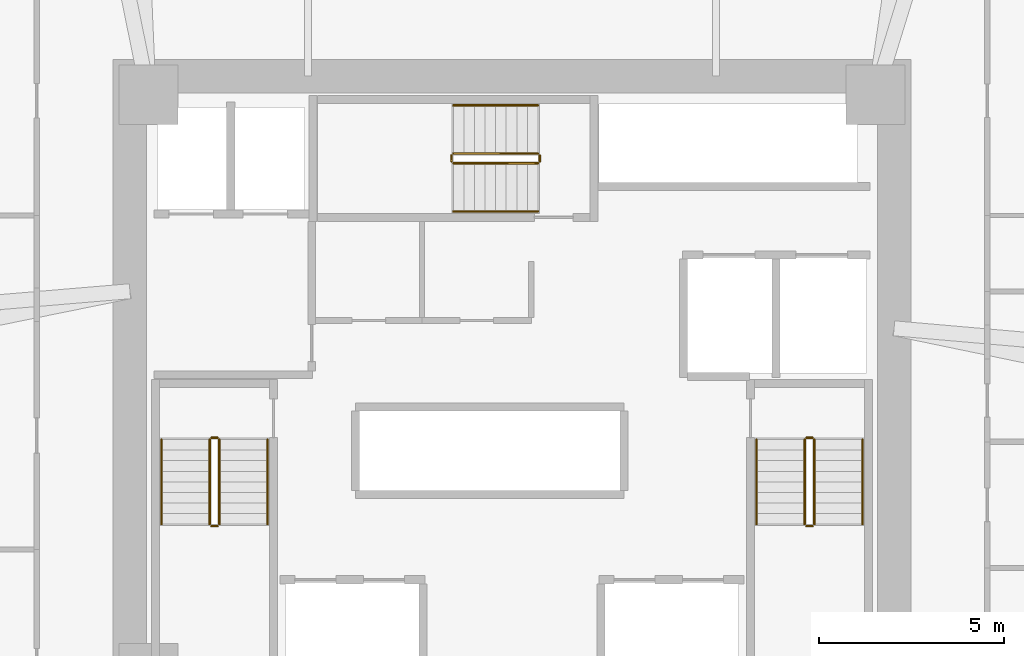
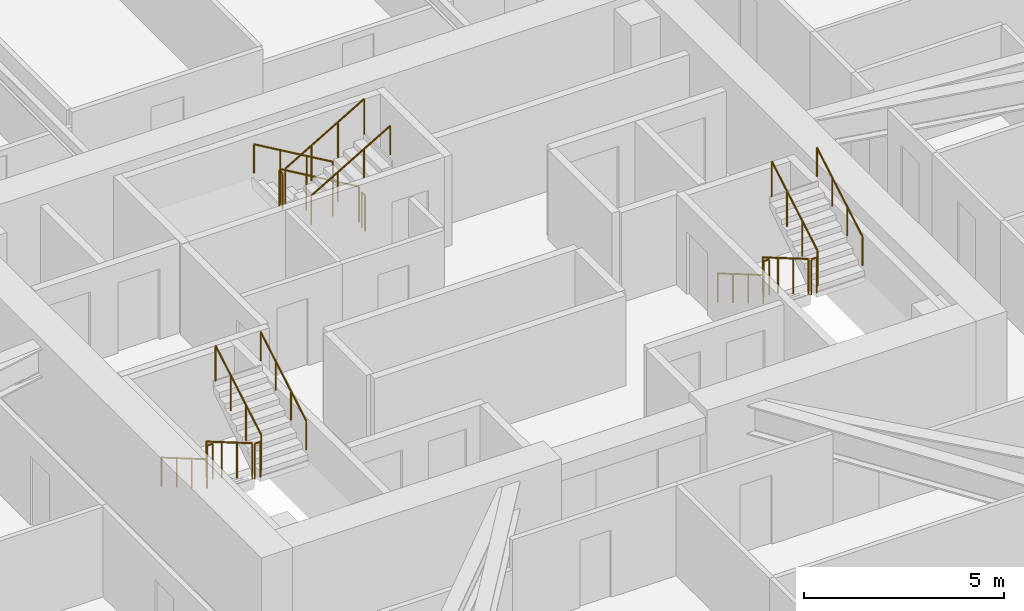
# One storey, part 15 of 15: 18 railings.
"""IFC4 building model written with IfcOpenShell, lengths in metres."""

import ifcopenshell
import ifcopenshell.guid

model = None  # the IFC model being written
_history = None  # IfcOwnerHistory: only IFC2X3 demands one
_inside = {}  # id of a spatial element -> (the spatial element, [elements in it])
_under = {}  # id of a project, library or spatial element -> (it, [spatial elements below it])
_declared = {}  # id of a project -> (the project, [libraries it declares])
_typed = {}  # id of a type object -> (the type object, [elements of that type])
_made_of = {}  # id of a material, layer set ... -> (it, [elements and type objects made of it])


def new_model(schema):
    """Start an empty IFC model of exactly this schema.

    Asked for "IFC4X3", IfcOpenShell would pick the latest addendum, in which some entities
    have other attributes; the version numbers below select the first issue.
    IFC2X3 requires an IfcOwnerHistory on every rooted entity: one is made here for all.
    """
    global model, _history
    if schema == "IFC4X3":
        model = ifcopenshell.file(schema_version=(4, 3, 0, 0))
    else:
        model = ifcopenshell.file(schema=schema)
    _inside.clear()
    _under.clear()
    _declared.clear()
    _typed.clear()
    _made_of.clear()
    _history = None
    if model.schema == "IFC2X3":
        org = make("IfcOrganization", Name="unknown")
        user = make(
            "IfcPersonAndOrganization",
            ThePerson=make("IfcPerson", FamilyName="unknown"),
            TheOrganization=org,
        )
        app = make(
            "IfcApplication",
            ApplicationDeveloper=org,
            Version="unknown",
            ApplicationFullName="unknown",
            ApplicationIdentifier="unknown",
        )
        _history = make(
            "IfcOwnerHistory",
            OwningUser=user,
            OwningApplication=app,
            ChangeAction="ADDED",
            CreationDate=0,
        )
    return model


def make(cls, **values):
    """One entity of the class cls with the attributes given. An attribute that is None is left unset."""
    return model.create_entity(
        cls, **{name: value for name, value in values.items() if value is not None}
    )


def rooted(cls, **values):
    """An entity with a GlobalId (a new one), such as an element, a storey or a relation."""
    return make(cls, GlobalId=ifcopenshell.guid.new(), OwnerHistory=_history, **values)


def si_unit(unit_type, name, prefix=None):
    """IfcSIUnit, for example si_unit("LENGTHUNIT", "METRE", prefix="MILLI")."""
    return make("IfcSIUnit", UnitType=unit_type, Prefix=prefix, Name=name)


def assignment(units):
    """IfcUnitAssignment: the units of a project."""
    return None if units is None else make("IfcUnitAssignment", Units=units)


def point(xyz):
    """IfcCartesianPoint."""
    return None if xyz is None else make("IfcCartesianPoint", Coordinates=xyz)


def direction(xyz):
    """IfcDirection."""
    return None if xyz is None else make("IfcDirection", DirectionRatios=xyz)


def frame(location, z_axis=None, x_axis=None):
    """IfcAxis2Placement3D, a coordinate frame: its origin and axes. An axis left out is left unset."""
    return make(
        "IfcAxis2Placement3D",
        Location=point(location),
        Axis=direction(z_axis),
        RefDirection=direction(x_axis),
    )


def frame_2d(location, x_axis=None):
    """IfcAxis2Placement2D, a coordinate frame in the plane: its origin and x axis."""
    return make(
        "IfcAxis2Placement2D", Location=point(location), RefDirection=direction(x_axis)
    )


def origin():
    """The frame at (0, 0, 0) with its axes left unset."""
    return frame((0.0, 0.0, 0.0))


def origin_2d():
    """The frame at (0, 0) in the plane with its x axis left unset."""
    return frame_2d((0.0, 0.0))


def place(relative_to, where):
    """IfcLocalPlacement: puts the frame where relative to a parent placement (None: the world)."""
    return make(
        "IfcLocalPlacement", PlacementRelTo=relative_to, RelativePlacement=where
    )


def context(
    kind, dimensions, precision=None, world=None, true_north=None, identifier=None
):
    """IfcGeometricRepresentationContext, for example the 3D "Model" context."""
    return make(
        "IfcGeometricRepresentationContext",
        ContextIdentifier=identifier,
        ContextType=kind,
        CoordinateSpaceDimension=dimensions,
        Precision=precision,
        WorldCoordinateSystem=world,
        TrueNorth=true_north,
    )


def subcontext(parent, identifier, kind, view, scale=None):
    """IfcGeometricRepresentationSubContext, for example "Body" below "Model"."""
    return make(
        "IfcGeometricRepresentationSubContext",
        ContextIdentifier=identifier,
        ContextType=kind,
        ParentContext=parent,
        TargetScale=scale,
        TargetView=view,
    )


def project(units=None, contexts=None):
    """IfcProject with its units and contexts."""
    return rooted(
        "IfcProject",
        Name="project",
        RepresentationContexts=contexts,
        UnitsInContext=assignment(units),
    )


def spatial(cls, under=None, at=None, **own):
    """A site, building, storey or space (cls), placed at a placement, below another one or the project."""
    s = rooted(cls, ObjectPlacement=at, **own)
    if under is not None:
        _under.setdefault(under.id(), (under, []))[1].append(s)
    return s


def profile(cls, at=None, kind="AREA", **sizes):
    """A parametric profile (cls). Its sizes go by their IFC names, for example OverallWidth=200.0."""
    return make(cls, ProfileType=kind, Position=at, **sizes)


def circle(**sizes):
    """IfcCircleProfileDef."""
    return profile("IfcCircleProfileDef", **sizes)


def extrude(swept, where, along, depth):
    """IfcExtrudedAreaSolid: the profile swept, set in the frame where, extruded along a direction by depth."""
    return make(
        "IfcExtrudedAreaSolid",
        SweptArea=swept,
        Position=where,
        ExtrudedDirection=direction(along),
        Depth=depth,
    )


def shape(context_of_items, identifier, shape_type, items):
    """IfcShapeRepresentation: the items that make up one representation, for example the "Body"."""
    return make(
        "IfcShapeRepresentation",
        ContextOfItems=context_of_items,
        RepresentationIdentifier=identifier,
        RepresentationType=shape_type,
        Items=items,
    )


def material(Name=None, Category=None):
    """IfcMaterial."""
    return make("IfcMaterial", Name=Name, Category=Category)


def made_of(thing, what):
    """Note that an element or type object is made of a material, layer set ...; save() writes the relation."""
    if what is not None:
        _made_of.setdefault(what.id(), (what, []))[1].append(thing)
    return thing


def type_object(cls, material=None, **own):
    """A type object (cls), such as IfcWallType, which elements share."""
    return made_of(rooted(cls, **own), material)


def element(
    cls,
    number,
    at=None,
    inside=None,
    cuts=None,
    type_object=None,
    material=None,
    context=None,
    identifier="Body",
    shape_type=None,
    held_by="IfcProductDefinitionShape",
    body=None,
    shapes=None,
    **own,
):
    """One element of the class cls, such as IfcWall. Its Tag is "e" and its number.

    at: its placement. inside: the storey or other place that contains it. cuts: it is an
    opening in that element (IfcRelVoidsElement). A single representation is given by context,
    identifier, shape_type and body (its items); several are given by shapes. held_by: the class
    of the entity that holds the representations. save() writes the other relations.
    """
    e = rooted(cls, Tag="e%d" % number, ObjectPlacement=at, **own)
    if body is not None:
        shapes = [shape(context, identifier, shape_type, body)]
    if shapes is not None:
        e.Representation = make(held_by, Representations=shapes)
    if inside is not None:
        _inside.setdefault(inside.id(), (inside, []))[1].append(e)
    if cuts is not None:
        rooted(
            "IfcRelVoidsElement", RelatingBuildingElement=cuts, RelatedOpeningElement=e
        )
    if type_object is not None:
        _typed.setdefault(type_object.id(), (type_object, []))[1].append(e)
    return made_of(e, material)


def aggregate(whole, parts):
    """IfcRelAggregates: a whole, such as a stair, and the parts it consists of."""
    return rooted("IfcRelAggregates", RelatingObject=whole, RelatedObjects=parts)


def save(model, path):
    """Write the relations noted so far, then the file.

    IfcRelAggregates (storeys below a building ...), IfcRelContainedInSpatialStructure (elements
    in a storey), IfcRelDefinesByType, IfcRelAssociatesMaterial and IfcRelDeclares: one each for
    every whole, place, type object, material and project.
    """
    for whole, parts in _under.values():
        aggregate(whole, parts)
    for where, things in _inside.values():
        rooted(
            "IfcRelContainedInSpatialStructure",
            RelatedElements=things,
            RelatingStructure=where,
        )
    for kind, things in _typed.values():
        rooted("IfcRelDefinesByType", RelatedObjects=things, RelatingType=kind)
    for what, things in _made_of.values():
        rooted("IfcRelAssociatesMaterial", RelatedObjects=things, RelatingMaterial=what)
    for by, libraries in _declared.values():
        rooted("IfcRelDeclares", RelatingContext=by, RelatedDefinitions=libraries)
    model.write(path)


model = new_model("IFC4")

# Units and contexts
model_context = context("Model", 3, precision=1e-05, world=origin(), true_north=direction((0.0, 1.0)))
body_context = subcontext(model_context, "Body", "Model", "MODEL_VIEW")
ifc_project = project(units=[si_unit("LENGTHUNIT", "METRE"), si_unit("AREAUNIT", "SQUARE_METRE"), si_unit("VOLUMEUNIT", "CUBIC_METRE"), si_unit("PLANEANGLEUNIT", "RADIAN"), si_unit("MASSUNIT", "GRAM", prefix="KILO")], contexts=[model_context])

# Site, building, storey
site_placement = place(None, origin())
site = spatial("IfcSite", under=ifc_project, at=site_placement, CompositionType="ELEMENT")
building_placement = place(site_placement, origin())
building = spatial("IfcBuilding", under=site, at=building_placement, Name="Durnholm Broadcast Tower", CompositionType="ELEMENT")
storey_placement = place(building_placement, frame((0.0, 0.0, 75.300048828125)))
storey = spatial("IfcBuildingStorey", under=building, at=storey_placement, Name="L19", CompositionType="ELEMENT", Elevation=75.300048828125)

# Railings
ifc_material_1 = material(Name="Painted Tubular Steel Stair Guardrail", Category="steel")
railing_type_1 = type_object("IfcRailingType", Name="RAIL-ST-GRD", PredefinedType="GUARDRAIL", material=ifc_material_1)
railing_1_placement = place(storey_placement, frame((-8.14990234375, -1.5, 0.16650390625)))
element("IfcRailing", 1, at=railing_1_placement, inside=storey, type_object=railing_type_1, Name="L19 ST-1 stair guard 1", PredefinedType="GUARDRAIL", context=body_context, shape_type="SweptSolid", body=[
    extrude(circle(Radius=0.02392578125, at=origin_2d()), frame((0.0, 0.0, 1.076171875), z_axis=(0.0, -0.863205083432, 0.504853428173), x_axis=(1.0, 0.0, 0.0)), (0.0, 0.0, 1.0), 2.641357421875),
    extrude(circle(Radius=0.02099609375, at=origin_2d()), origin(), (0.0, 0.0, 1.0), 1.052001953125),
    extrude(circle(Radius=0.02099609375, at=origin_2d()), frame((0.0, -0.760009765625, 0.444580078125)), (0.0, 0.0, 1.0), 1.052001953125),
    extrude(circle(Radius=0.02099609375, at=origin_2d()), frame((0.0, -1.52001953125, 0.888916015625)), (0.0, 0.0, 1.0), 1.052001953125),
    extrude(circle(Radius=0.02099609375, at=origin_2d()), frame((0.0, -2.280029296875, 1.33349609375)), (0.0, 0.0, 1.0), 1.052001953125),
])
railing_2_placement = place(storey_placement, frame((-8.10009765625, -3.830078125, 1.5)))
element("IfcRailing", 2, at=railing_2_placement, inside=storey, type_object=railing_type_1, Name="L19 ST-1 stair guard 2", PredefinedType="GUARDRAIL", context=body_context, shape_type="SweptSolid", body=[
    extrude(circle(Radius=0.02392578125, at=origin_2d()), frame((0.0, 0.0, 1.076171875), z_axis=(1.0, 0.0, 0.0), x_axis=(0.0, 1.0, 0.0)), (0.0, 0.0, 1.0), 0.16015625),
    extrude(circle(Radius=0.02099609375, at=origin_2d()), origin(), (0.0, 0.0, 1.0), 1.052001953125),
    extrude(circle(Radius=0.02099609375, at=origin_2d()), frame((0.16015625, 0.0, 0.0)), (0.0, 0.0, 1.0), 1.052001953125),
])
railing_3_placement = place(storey_placement, frame((-7.889892578125, -3.780029296875, 1.66650390625)))
element("IfcRailing", 3, at=railing_3_placement, inside=storey, type_object=railing_type_1, Name="L19 ST-1 stair guard 3", PredefinedType="GUARDRAIL", context=body_context, shape_type="SweptSolid", body=[
    extrude(circle(Radius=0.02392578125, at=origin_2d()), frame((0.0, 0.0, 1.076171875), z_axis=(0.0, 0.863205083432, 0.504853428173), x_axis=(-1.0, 0.0, 0.0)), (0.0, 0.0, 1.0), 2.641357421875),
    extrude(circle(Radius=0.02099609375, at=origin_2d()), origin(), (0.0, 0.0, 1.0), 1.052001953125),
    extrude(circle(Radius=0.02099609375, at=origin_2d()), frame((0.0, 0.760009765625, 0.444580078125)), (0.0, 0.0, 1.0), 1.052001953125),
    extrude(circle(Radius=0.02099609375, at=origin_2d()), frame((0.0, 1.52001953125, 0.888916015625)), (0.0, 0.0, 1.0), 1.052001953125),
    extrude(circle(Radius=0.02099609375, at=origin_2d()), frame((0.0, 2.280029296875, 1.33349609375)), (0.0, 0.0, 1.0), 1.052001953125),
])
railing_4_placement = place(storey_placement, frame((-8.10009765625, -1.449951171875, 0.0)))
element("IfcRailing", 4, at=railing_4_placement, inside=storey, type_object=railing_type_1, Name="L19 ST-1 stair guard 4", PredefinedType="GUARDRAIL", context=body_context, shape_type="SweptSolid", body=[
    extrude(circle(Radius=0.02392578125, at=origin_2d()), frame((0.0, 0.0, 1.076171875), z_axis=(1.0, 0.0, 0.0), x_axis=(0.0, 1.0, 0.0)), (0.0, 0.0, 1.0), 0.16015625),
    extrude(circle(Radius=0.02099609375, at=origin_2d()), origin(), (0.0, 0.0, 1.0), 1.052001953125),
    extrude(circle(Radius=0.02099609375, at=origin_2d()), frame((0.16015625, 0.0, 0.0)), (0.0, 0.0, 1.0), 1.052001953125),
])
railing_5_placement = place(storey_placement, frame((7.889892578125, -1.5, 0.16650390625)))
element("IfcRailing", 5, at=railing_5_placement, inside=storey, type_object=railing_type_1, Name="L19 ST-2 stair guard 1", PredefinedType="GUARDRAIL", context=body_context, shape_type="SweptSolid", body=[
    extrude(circle(Radius=0.02392578125, at=origin_2d()), frame((0.0, 0.0, 1.076171875), z_axis=(0.0, -0.863205083432, 0.504853428173), x_axis=(1.0, 0.0, 0.0)), (0.0, 0.0, 1.0), 2.641357421875),
    extrude(circle(Radius=0.02099609375, at=origin_2d()), origin(), (0.0, 0.0, 1.0), 1.052001953125),
    extrude(circle(Radius=0.02099609375, at=origin_2d()), frame((0.0, -0.760009765625, 0.444580078125)), (0.0, 0.0, 1.0), 1.052001953125),
    extrude(circle(Radius=0.02099609375, at=origin_2d()), frame((0.0, -1.52001953125, 0.888916015625)), (0.0, 0.0, 1.0), 1.052001953125),
    extrude(circle(Radius=0.02099609375, at=origin_2d()), frame((0.0, -2.280029296875, 1.33349609375)), (0.0, 0.0, 1.0), 1.052001953125),
])
railing_6_placement = place(storey_placement, frame((7.93994140625, -3.830078125, 1.5)))
element("IfcRailing", 6, at=railing_6_placement, inside=storey, type_object=railing_type_1, Name="L19 ST-2 stair guard 2", PredefinedType="GUARDRAIL", context=body_context, shape_type="SweptSolid", body=[
    extrude(circle(Radius=0.02392578125, at=origin_2d()), frame((0.0, 0.0, 1.076171875), z_axis=(1.0, 0.0, 0.0), x_axis=(0.0, 1.0, 0.0)), (0.0, 0.0, 1.0), 0.16015625),
    extrude(circle(Radius=0.02099609375, at=origin_2d()), origin(), (0.0, 0.0, 1.0), 1.052001953125),
    extrude(circle(Radius=0.02099609375, at=origin_2d()), frame((0.16015625, 0.0, 0.0)), (0.0, 0.0, 1.0), 1.052001953125),
])
railing_7_placement = place(storey_placement, frame((8.14990234375, -3.780029296875, 1.66650390625)))
element("IfcRailing", 7, at=railing_7_placement, inside=storey, type_object=railing_type_1, Name="L19 ST-2 stair guard 3", PredefinedType="GUARDRAIL", context=body_context, shape_type="SweptSolid", body=[
    extrude(circle(Radius=0.02392578125, at=origin_2d()), frame((0.0, 0.0, 1.076171875), z_axis=(0.0, 0.863205083432, 0.504853428173), x_axis=(-1.0, 0.0, 0.0)), (0.0, 0.0, 1.0), 2.641357421875),
    extrude(circle(Radius=0.02099609375, at=origin_2d()), origin(), (0.0, 0.0, 1.0), 1.052001953125),
    extrude(circle(Radius=0.02099609375, at=origin_2d()), frame((0.0, 0.760009765625, 0.444580078125)), (0.0, 0.0, 1.0), 1.052001953125),
    extrude(circle(Radius=0.02099609375, at=origin_2d()), frame((0.0, 1.52001953125, 0.888916015625)), (0.0, 0.0, 1.0), 1.052001953125),
    extrude(circle(Radius=0.02099609375, at=origin_2d()), frame((0.0, 2.280029296875, 1.33349609375)), (0.0, 0.0, 1.0), 1.052001953125),
])
railing_8_placement = place(storey_placement, frame((7.93994140625, -1.449951171875, 0.0)))
element("IfcRailing", 8, at=railing_8_placement, inside=storey, type_object=railing_type_1, Name="L19 ST-2 stair guard 4", PredefinedType="GUARDRAIL", context=body_context, shape_type="SweptSolid", body=[
    extrude(circle(Radius=0.02392578125, at=origin_2d()), frame((0.0, 0.0, 1.076171875), z_axis=(1.0, 0.0, 0.0), x_axis=(0.0, 1.0, 0.0)), (0.0, 0.0, 1.0), 0.16015625),
    extrude(circle(Radius=0.02099609375, at=origin_2d()), origin(), (0.0, 0.0, 1.0), 1.052001953125),
    extrude(circle(Radius=0.02099609375, at=origin_2d()), frame((0.16015625, 0.0, 0.0)), (0.0, 0.0, 1.0), 1.052001953125),
])
railing_9_placement = place(storey_placement, frame((0.699951171875, 6.2099609375, 0.16650390625)))
element("IfcRailing", 9, at=railing_9_placement, inside=storey, type_object=railing_type_1, Name="L19 ST-3 stair guard 1", PredefinedType="GUARDRAIL", context=body_context, shape_type="SweptSolid", body=[
    extrude(circle(Radius=0.02392578125, at=origin_2d()), frame((0.0, 0.0, 1.076171875), z_axis=(-0.863205083432, 0.0, 0.504853428173), x_axis=(0.0, -1.0, 0.0)), (0.0, 0.0, 1.0), 2.641357421875),
    extrude(circle(Radius=0.02099609375, at=origin_2d()), origin(), (0.0, 0.0, 1.0), 1.052001953125),
    extrude(circle(Radius=0.02099609375, at=origin_2d()), frame((-0.760009765625, 0.0, 0.444580078125)), (0.0, 0.0, 1.0), 1.052001953125),
    extrude(circle(Radius=0.02099609375, at=origin_2d()), frame((-1.52001953125, 0.0, 0.888916015625)), (0.0, 0.0, 1.0), 1.052001953125),
    extrude(circle(Radius=0.02099609375, at=origin_2d()), frame((-2.280029296875, 0.0, 1.33349609375)), (0.0, 0.0, 1.0), 1.052001953125),
])
railing_10_placement = place(storey_placement, frame((-1.6298828125, 6.159912109375, 1.5)))
element("IfcRailing", 10, at=railing_10_placement, inside=storey, type_object=railing_type_1, Name="L19 ST-3 stair guard 2", PredefinedType="GUARDRAIL", context=body_context, shape_type="SweptSolid", body=[
    extrude(circle(Radius=0.02392578125, at=origin_2d()), frame((0.0, 0.0, 1.076171875), z_axis=(0.0, -1.0, 0.0), x_axis=(1.0, 0.0, 0.0)), (0.0, 0.0, 1.0), 0.159912109375),
    extrude(circle(Radius=0.02099609375, at=origin_2d()), origin(), (0.0, 0.0, 1.0), 1.052001953125),
    extrude(circle(Radius=0.02099609375, at=origin_2d()), frame((0.0, -0.159912109375, 0.0)), (0.0, 0.0, 1.0), 1.052001953125),
])
railing_11_placement = place(storey_placement, frame((-1.580078125, 5.949951171875, 1.66650390625)))
element("IfcRailing", 11, at=railing_11_placement, inside=storey, type_object=railing_type_1, Name="L19 ST-3 stair guard 3", PredefinedType="GUARDRAIL", context=body_context, shape_type="SweptSolid", body=[
    extrude(circle(Radius=0.02392578125, at=origin_2d()), frame((0.0, 0.0, 1.076171875), z_axis=(0.863205083432, 0.0, 0.504853428173), x_axis=(0.0, 1.0, 0.0)), (0.0, 0.0, 1.0), 2.641357421875),
    extrude(circle(Radius=0.02099609375, at=origin_2d()), origin(), (0.0, 0.0, 1.0), 1.052001953125),
    extrude(circle(Radius=0.02099609375, at=origin_2d()), frame((0.760009765625, 0.0, 0.444580078125)), (0.0, 0.0, 1.0), 1.052001953125),
    extrude(circle(Radius=0.02099609375, at=origin_2d()), frame((1.52001953125, 0.0, 0.888916015625)), (0.0, 0.0, 1.0), 1.052001953125),
    extrude(circle(Radius=0.02099609375, at=origin_2d()), frame((2.280029296875, 0.0, 1.33349609375)), (0.0, 0.0, 1.0), 1.052001953125),
])
railing_12_placement = place(storey_placement, frame((0.75, 6.159912109375, 0.0)))
element("IfcRailing", 12, at=railing_12_placement, inside=storey, type_object=railing_type_1, Name="L19 ST-3 stair guard 4", PredefinedType="GUARDRAIL", context=body_context, shape_type="SweptSolid", body=[
    extrude(circle(Radius=0.02392578125, at=origin_2d()), frame((0.0, 0.0, 1.076171875), z_axis=(0.0, -1.0, 0.0), x_axis=(1.0, 0.0, 0.0)), (0.0, 0.0, 1.0), 0.159912109375),
    extrude(circle(Radius=0.02099609375, at=origin_2d()), origin(), (0.0, 0.0, 1.0), 1.052001953125),
    extrude(circle(Radius=0.02099609375, at=origin_2d()), frame((0.0, -0.159912109375, 0.0)), (0.0, 0.0, 1.0), 1.052001953125),
])
ifc_material_2 = material(Name="Brushed Stainless Steel Handrail", Category="steel")
railing_type_2 = type_object("IfcRailingType", Name="RAIL-ST-HND", PredefinedType="HANDRAIL", material=ifc_material_2)
railing_13_placement = place(storey_placement, frame((-9.449951171875, -1.5, 0.333251953125)))
element("IfcRailing", 13, at=railing_13_placement, inside=storey, type_object=railing_type_2, Name="L19 ST-1 stair handrail 1", PredefinedType="HANDRAIL", context=body_context, shape_type="SweptSolid", body=[
    extrude(circle(Radius=0.02392578125, at=origin_2d()), frame((0.0, 0.0, 0.8759765625), z_axis=(0.0, -0.863245362884, 0.504784551527), x_axis=(1.0, 0.0, 0.0)), (0.0, 0.0, 1.0), 2.64111328125),
    extrude(circle(Radius=0.02099609375, at=origin_2d()), origin(), (0.0, 0.0, 1.0), 0.851806640625),
    extrude(circle(Radius=0.02099609375, at=origin_2d()), frame((0.0, -0.760009765625, 0.4443359375)), (0.0, 0.0, 1.0), 0.851806640625),
    extrude(circle(Radius=0.02099609375, at=origin_2d()), frame((0.0, -1.52001953125, 0.888916015625)), (0.0, 0.0, 1.0), 0.851806640625),
    extrude(circle(Radius=0.02099609375, at=origin_2d()), frame((0.0, -2.280029296875, 1.333251953125)), (0.0, 0.0, 1.0), 0.851806640625),
])
railing_14_placement = place(storey_placement, frame((-6.590087890625, -3.780029296875, 1.833251953125)))
element("IfcRailing", 14, at=railing_14_placement, inside=storey, type_object=railing_type_2, Name="L19 ST-1 stair handrail 2", PredefinedType="HANDRAIL", context=body_context, shape_type="SweptSolid", body=[
    extrude(circle(Radius=0.02392578125, at=origin_2d()), frame((0.0, 0.0, 0.8759765625), z_axis=(0.0, 0.863245362884, 0.504784551527), x_axis=(-1.0, 0.0, 0.0)), (0.0, 0.0, 1.0), 2.64111328125),
    extrude(circle(Radius=0.02099609375, at=origin_2d()), origin(), (0.0, 0.0, 1.0), 0.851806640625),
    extrude(circle(Radius=0.02099609375, at=origin_2d()), frame((0.0, 0.760009765625, 0.4443359375)), (0.0, 0.0, 1.0), 0.851806640625),
    extrude(circle(Radius=0.02099609375, at=origin_2d()), frame((0.0, 1.52001953125, 0.888916015625)), (0.0, 0.0, 1.0), 0.851806640625),
    extrude(circle(Radius=0.02099609375, at=origin_2d()), frame((0.0, 2.280029296875, 1.333251953125)), (0.0, 0.0, 1.0), 0.851806640625),
])
railing_15_placement = place(storey_placement, frame((6.590087890625, -1.5, 0.333251953125)))
element("IfcRailing", 15, at=railing_15_placement, inside=storey, type_object=railing_type_2, Name="L19 ST-2 stair handrail 1", PredefinedType="HANDRAIL", context=body_context, shape_type="SweptSolid", body=[
    extrude(circle(Radius=0.02392578125, at=origin_2d()), frame((0.0, 0.0, 0.8759765625), z_axis=(0.0, -0.863245362884, 0.504784551527), x_axis=(1.0, 0.0, 0.0)), (0.0, 0.0, 1.0), 2.64111328125),
    extrude(circle(Radius=0.02099609375, at=origin_2d()), origin(), (0.0, 0.0, 1.0), 0.851806640625),
    extrude(circle(Radius=0.02099609375, at=origin_2d()), frame((0.0, -0.760009765625, 0.4443359375)), (0.0, 0.0, 1.0), 0.851806640625),
    extrude(circle(Radius=0.02099609375, at=origin_2d()), frame((0.0, -1.52001953125, 0.888916015625)), (0.0, 0.0, 1.0), 0.851806640625),
    extrude(circle(Radius=0.02099609375, at=origin_2d()), frame((0.0, -2.280029296875, 1.333251953125)), (0.0, 0.0, 1.0), 0.851806640625),
])
railing_16_placement = place(storey_placement, frame((9.449951171875, -3.780029296875, 1.833251953125)))
element("IfcRailing", 16, at=railing_16_placement, inside=storey, type_object=railing_type_2, Name="L19 ST-2 stair handrail 2", PredefinedType="HANDRAIL", context=body_context, shape_type="SweptSolid", body=[
    extrude(circle(Radius=0.02392578125, at=origin_2d()), frame((0.0, 0.0, 0.8759765625), z_axis=(0.0, 0.863245362884, 0.504784551527), x_axis=(-1.0, 0.0, 0.0)), (0.0, 0.0, 1.0), 2.64111328125),
    extrude(circle(Radius=0.02099609375, at=origin_2d()), origin(), (0.0, 0.0, 1.0), 0.851806640625),
    extrude(circle(Radius=0.02099609375, at=origin_2d()), frame((0.0, 0.760009765625, 0.4443359375)), (0.0, 0.0, 1.0), 0.851806640625),
    extrude(circle(Radius=0.02099609375, at=origin_2d()), frame((0.0, 1.52001953125, 0.888916015625)), (0.0, 0.0, 1.0), 0.851806640625),
    extrude(circle(Radius=0.02099609375, at=origin_2d()), frame((0.0, 2.280029296875, 1.333251953125)), (0.0, 0.0, 1.0), 0.851806640625),
])
railing_17_placement = place(storey_placement, frame((0.699951171875, 7.510009765625, 0.333251953125)))
element("IfcRailing", 17, at=railing_17_placement, inside=storey, type_object=railing_type_2, Name="L19 ST-3 stair handrail 1", PredefinedType="HANDRAIL", context=body_context, shape_type="SweptSolid", body=[
    extrude(circle(Radius=0.02392578125, at=origin_2d()), frame((0.0, 0.0, 0.8759765625), z_axis=(-0.863245362884, 0.0, 0.504784551527), x_axis=(0.0, -1.0, 0.0)), (0.0, 0.0, 1.0), 2.64111328125),
    extrude(circle(Radius=0.02099609375, at=origin_2d()), origin(), (0.0, 0.0, 1.0), 0.851806640625),
    extrude(circle(Radius=0.02099609375, at=origin_2d()), frame((-0.760009765625, 0.0, 0.4443359375)), (0.0, 0.0, 1.0), 0.851806640625),
    extrude(circle(Radius=0.02099609375, at=origin_2d()), frame((-1.52001953125, 0.0, 0.888916015625)), (0.0, 0.0, 1.0), 0.851806640625),
    extrude(circle(Radius=0.02099609375, at=origin_2d()), frame((-2.280029296875, 0.0, 1.333251953125)), (0.0, 0.0, 1.0), 0.851806640625),
])
railing_18_placement = place(storey_placement, frame((-1.580078125, 4.64990234375, 1.833251953125)))
element("IfcRailing", 18, at=railing_18_placement, inside=storey, type_object=railing_type_2, Name="L19 ST-3 stair handrail 2", PredefinedType="HANDRAIL", context=body_context, shape_type="SweptSolid", body=[
    extrude(circle(Radius=0.02392578125, at=origin_2d()), frame((0.0, 0.0, 0.8759765625), z_axis=(0.863245362884, 0.0, 0.504784551527), x_axis=(0.0, 1.0, 0.0)), (0.0, 0.0, 1.0), 2.64111328125),
    extrude(circle(Radius=0.02099609375, at=origin_2d()), origin(), (0.0, 0.0, 1.0), 0.851806640625),
    extrude(circle(Radius=0.02099609375, at=origin_2d()), frame((0.760009765625, 0.0, 0.4443359375)), (0.0, 0.0, 1.0), 0.851806640625),
    extrude(circle(Radius=0.02099609375, at=origin_2d()), frame((1.52001953125, 0.0, 0.888916015625)), (0.0, 0.0, 1.0), 0.851806640625),
    extrude(circle(Radius=0.02099609375, at=origin_2d()), frame((2.280029296875, 0.0, 1.333251953125)), (0.0, 0.0, 1.0), 0.851806640625),
])

save(model, "model.ifc")
